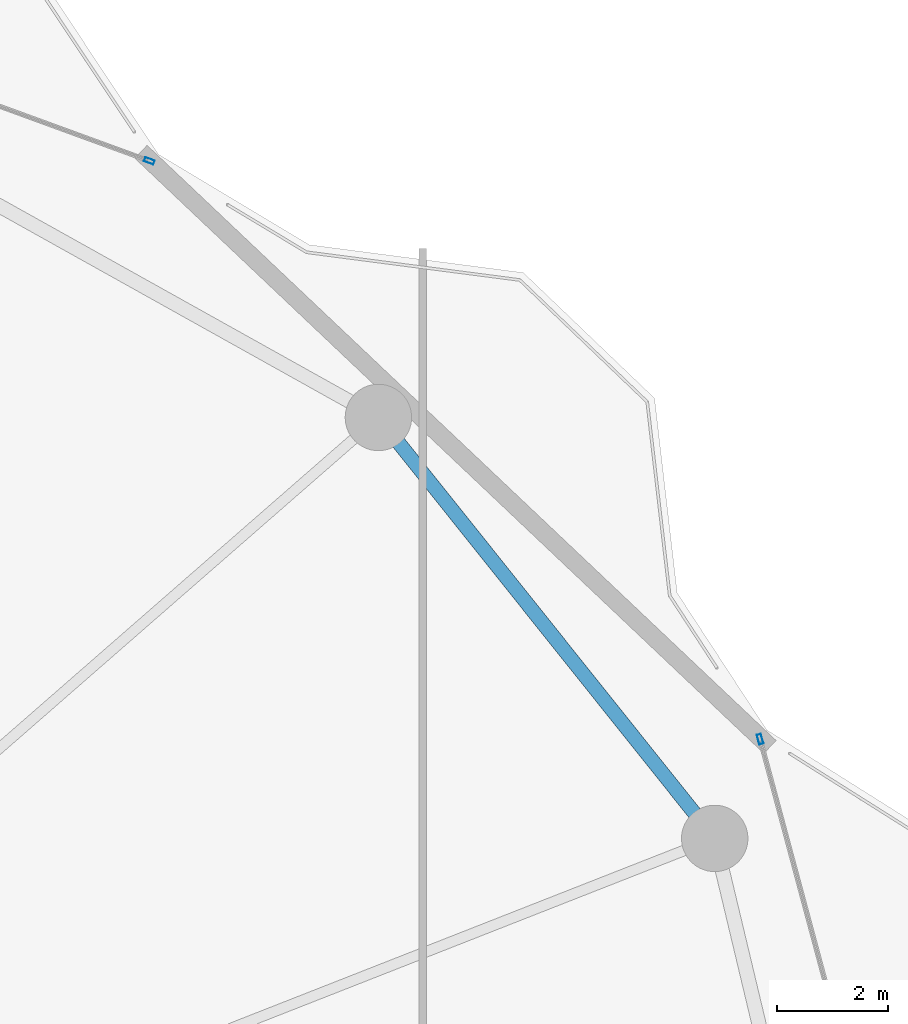
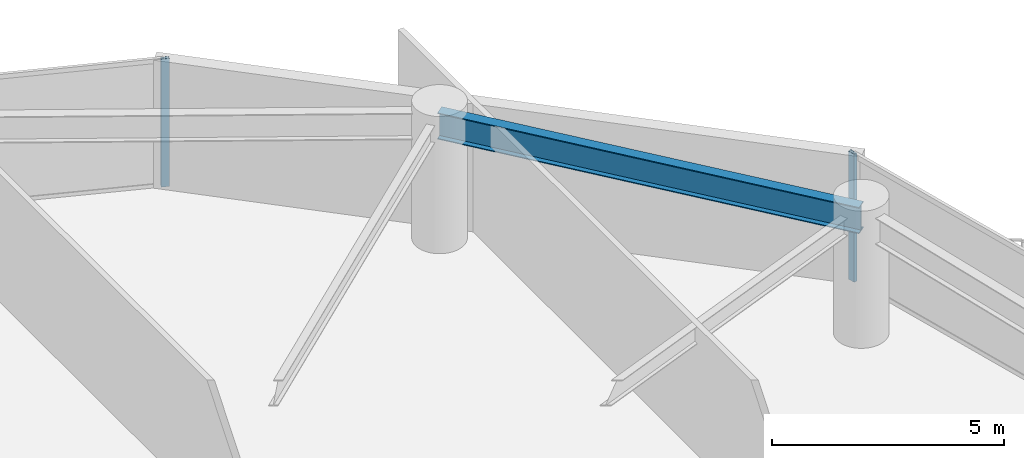
# One storey, part 21 of 28: 2 members, 1 beam, 2 elements without a shape of their own.
"""IFC4 building model written with IfcOpenShell, lengths in metres."""

from ifc_helpers import new_model, si_unit, direction, frame, origin, origin_2d, place, context, subcontext, project, spatial, hollow_rectangle, i_section, extrude, material, layer, layer_set, material_profile, profile_set, type_object, element, aggregate, save


model = new_model("IFC4")

# Units and contexts
model_context = context("Model", 3, precision=1e-05, world=origin(), true_north=direction((0.0, 1.0)))
body_context = subcontext(model_context, "Body", "Model", "MODEL_VIEW")
ifc_project = project(units=[si_unit("LENGTHUNIT", "METRE"), si_unit("AREAUNIT", "SQUARE_METRE"), si_unit("VOLUMEUNIT", "CUBIC_METRE"), si_unit("PLANEANGLEUNIT", "RADIAN"), si_unit("MASSUNIT", "GRAM", prefix="KILO")], contexts=[model_context])

# Site, building, storey
site_placement = place(None, origin())
site = spatial("IfcSite", under=ifc_project, at=site_placement, CompositionType="ELEMENT")
building_placement = place(site_placement, origin())
building = spatial("IfcBuilding", under=site, at=building_placement, Name="Kazevale Care Tower and Concert Hall", CompositionType="ELEMENT")
storey_placement = place(building_placement, frame((0.0, 0.0, 106.199951171875)))
storey = spatial("IfcBuildingStorey", under=building, at=storey_placement, Name="L27", CompositionType="ELEMENT", Elevation=106.199951171875)

# Curtain wall, member
ifc_material_1 = material(Name="Aluminium 6063-T6 and Low-E Glass", Category="aluminium")
ifc_layer_1 = layer(ifc_material_1, 0.179931640625)
ifc_layer_set_1 = layer_set([ifc_layer_1], Name="Aluminium 6063-T6 and Low-E Glass")
curtain_wall_type_1 = type_object("IfcCurtainWallType", Name="Convex Checkerboard Finned Curtain Wall CW-2", PredefinedType="NOTDEFINED", material=ifc_layer_set_1)
curtain_wall_1_placement = place(storey_placement, origin())
curtain_wall_1 = element("IfcCurtainWall", 1, at=curtain_wall_1_placement, inside=storey, type_object=curtain_wall_type_1, Name="cw:L27:f16", PredefinedType="NOTDEFINED")
ifc_material_2 = material(Name="Aluminium 6063-T6", Category="aluminium")
ifc_material_profile_1 = material_profile(ifc_material_2, hollow_rectangle(XDim=0.080078125, YDim=0.179931640625, WallThickness=0.0048828125, at=origin_2d()), Name="ALU80x180x5")
ifc_profile_set_1 = profile_set([ifc_material_profile_1], Name="Aluminium 6063-T6")
member_type_1 = type_object("IfcMemberType", Name="CW-2 Mullion ALU80x180x5", PredefinedType="MULLION", material=ifc_profile_set_1)
member_1_placement = place(storey_placement, frame((60.689453125, 59.2177734375, 0.0), z_axis=(0.0, 0.0, 1.0), x_axis=(0.343143453498, 0.939283008641, 0.0)))
member_1 = element("IfcMember", 2, at=member_1_placement, type_object=member_type_1, Name="CW-2 mullion 2", PredefinedType="MULLION", context=body_context, shape_type="SweptSolid", body=[
    extrude(hollow_rectangle(XDim=0.080078125, YDim=0.179931640625, WallThickness=0.0048828125, at=origin_2d()), origin(), (0.0, 0.0, 1.0), 3.360107421875),
])
aggregate(curtain_wall_1, [member_1])

ifc_layer_2 = layer(ifc_material_1, 0.179931640625)
ifc_layer_set_2 = layer_set([ifc_layer_2], Name="Aluminium 6063-T6 and Low-E Glass")
curtain_wall_type_2 = type_object("IfcCurtainWallType", Name="Waist & Upper Residential Curtain Wall CW-4", PredefinedType="NOTDEFINED", material=ifc_layer_set_2)
curtain_wall_2_placement = place(storey_placement, origin())
curtain_wall_2 = element("IfcCurtainWall", 3, at=curtain_wall_2_placement, inside=storey, type_object=curtain_wall_type_2, Name="cw:L27:f18", PredefinedType="NOTDEFINED")
ifc_material_profile_2 = material_profile(ifc_material_2, hollow_rectangle(XDim=0.080078125, YDim=0.179931640625, WallThickness=0.0048828125, at=origin_2d()), Name="ALU80x180x5")
ifc_profile_set_2 = profile_set([ifc_material_profile_2], Name="Aluminium 6063-T6")
member_type_2 = type_object("IfcMemberType", Name="CW-4 Mullion ALU80x180x5", PredefinedType="MULLION", material=ifc_profile_set_2)
member_2_placement = place(storey_placement, frame((71.73046875, 48.764404296875, 0.0), z_axis=(0.0, 0.0, 1.0), x_axis=(0.965806263229, 0.259264848961, 0.0)))
member_2 = element("IfcMember", 4, at=member_2_placement, type_object=member_type_2, Name="CW-4 mullion 1", PredefinedType="MULLION", context=body_context, shape_type="SweptSolid", body=[
    extrude(hollow_rectangle(XDim=0.080078125, YDim=0.179931640625, WallThickness=0.0048828125, at=origin_2d()), origin(), (0.0, 0.0, 1.0), 3.360107421875),
])
aggregate(curtain_wall_2, [member_2])

# Beam
ifc_material_3 = material(Name="Steel ASTM A572 Gr 50", Category="steel")
ifc_material_profile_3 = material_profile(ifc_material_3, i_section(OverallWidth=0.256103515625, OverallDepth=0.693115234375, WebThickness=0.014404296875, FlangeThickness=0.023681640625, at=origin_2d()), Name="W690x170")
ifc_profile_set_3 = profile_set([ifc_material_profile_3], Name="Steel ASTM A572 Gr 50")
beam_type = type_object("IfcBeamType", Name="Waist Ring Beam W690x170", PredefinedType="BEAM", material=ifc_profile_set_3)
beam_placement = place(storey_placement, frame((70.909912109375, 46.969970703125, 3.013427734375), z_axis=(-0.624178340034, 0.781281895242, 0.0), x_axis=(-0.781281895242, -0.624178340034, 0.0)))
element("IfcBeam", 5, at=beam_placement, inside=storey, type_object=beam_type, Name="beam:L27:ring:02", PredefinedType="BEAM", context=body_context, shape_type="SweptSolid", body=[
    extrude(i_section(OverallWidth=0.256103515625, OverallDepth=0.693115234375, WebThickness=0.014404296875, FlangeThickness=0.023681640625, at=origin_2d()), origin(), (0.0, 0.0, 1.0), 9.740478515625),
])

save(model, "model.ifc")
